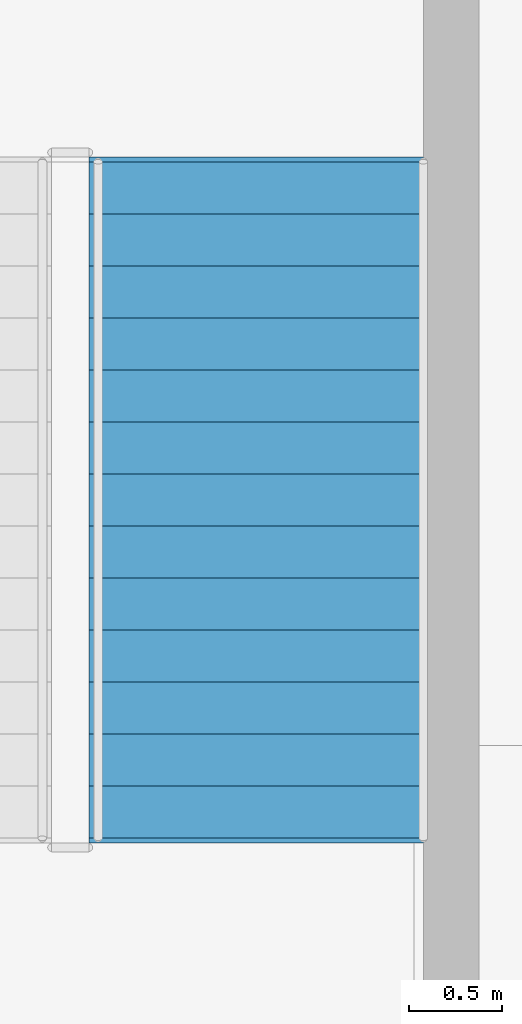
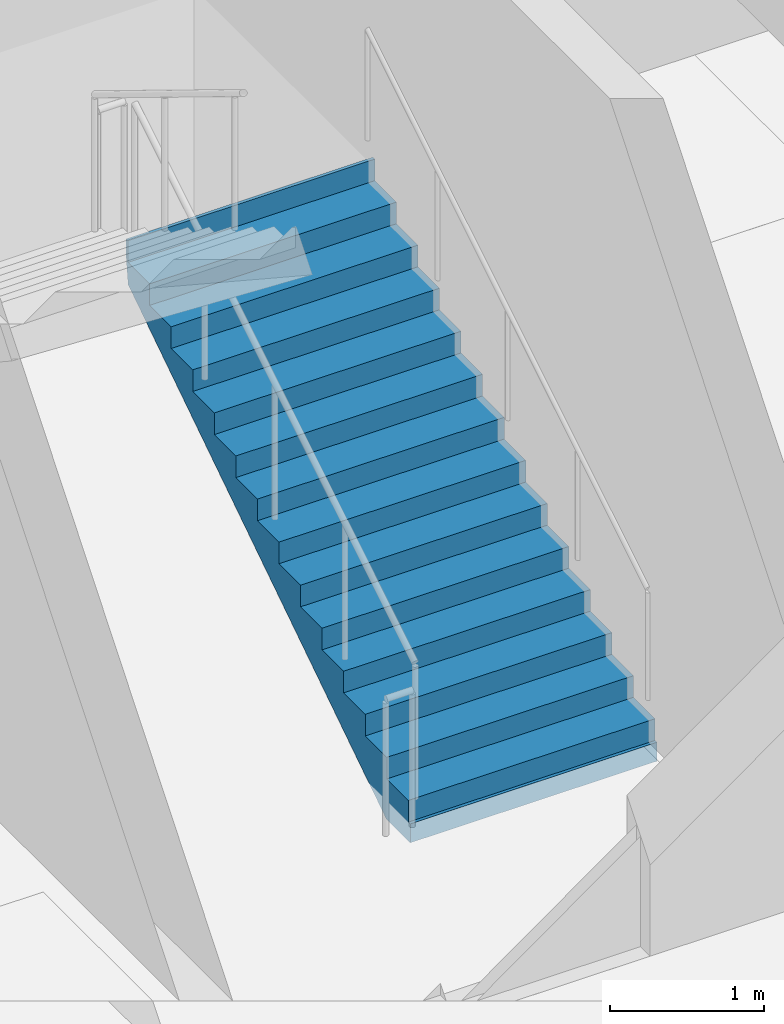
# One storey, part 33 of 51: 1 stair flight, 1 element without a shape of its own.
"""IFC4 building model written with IfcOpenShell, lengths in metres."""

from ifc_helpers import new_model, si_unit, direction, frame, origin, place, context, subcontext, project, spatial, polyline, outline, extrude, material, type_object, element, aggregate, save


model = new_model("IFC4")

# Units and contexts
model_context = context("Model", 3, precision=1e-05, world=origin(), true_north=direction((0.0, 1.0)))
body_context = subcontext(model_context, "Body", "Model", "MODEL_VIEW")
ifc_project = project(units=[si_unit("LENGTHUNIT", "METRE"), si_unit("AREAUNIT", "SQUARE_METRE"), si_unit("VOLUMEUNIT", "CUBIC_METRE"), si_unit("PLANEANGLEUNIT", "RADIAN"), si_unit("MASSUNIT", "GRAM", prefix="KILO")], contexts=[model_context])

# Site, building, storey
site_placement = place(None, origin())
site = spatial("IfcSite", under=ifc_project, at=site_placement, CompositionType="ELEMENT")
building_placement = place(site_placement, origin())
building = spatial("IfcBuilding", under=site, at=building_placement, Name="Varncliffe General Hospital", CompositionType="ELEMENT")
storey_placement = place(building_placement, frame((0.0, 0.0, -4.800048828125)))
storey = spatial("IfcBuildingStorey", under=building, at=storey_placement, Name="B1", CompositionType="ELEMENT", Elevation=-4.800048828125)

# Stair, stair flight
ifc_material = material(Name="Concrete C35/45 (CSA A23.1 35 MPa)", Category="concrete")
stair_type = type_object("IfcStairType", Name="Hospital Stair Assembly ST-T01 (1850w-4800h)", PredefinedType="TWO_STRAIGHT_RUN_STAIR", material=ifc_material)
stair_placement = place(storey_placement, origin())
stair = element("IfcStair", 1, at=stair_placement, inside=storey, type_object=stair_type, Name="B1 North-East Ward Exit Stair 4", PredefinedType="TWO_STRAIGHT_RUN_STAIR")
stair_flight_type = type_object("IfcStairFlightType", Name="Hospital Stair Flight FL-T01 (1850w-4800h)", PredefinedType="STRAIGHT", material=ifc_material)
stair_flight_placement = place(storey_placement, frame((165.074951171875, 118.0, 0.0), z_axis=(0.0, 0.0, 1.0), x_axis=(0.0, 1.0, 0.0)))
stair_flight = element("IfcStairFlight", 2, at=stair_flight_placement, type_object=stair_flight_type, Name="ST04 flight 1", NumberOfRisers=14, NumberOfTreads=13, PredefinedType="STRAIGHT", RiserHeight=0.171428571, TreadLength=0.28, context=body_context, shape_type="SweptSolid", body=[
    extrude(outline(polyline([(-0.02490234375, -0.14990234375), (-0.02490234375, 0.0), (0.0, 0.0), (0.0, 0.17138671875), (0.280029296875, 0.17138671875), (0.280029296875, 0.3427734375), (0.56005859375, 0.3427734375), (0.56005859375, 0.514404296875), (0.840087890625, 0.514404296875), (0.840087890625, 0.685791015625), (1.1201171875, 0.685791015625), (1.1201171875, 0.857177734375), (1.39990234375, 0.857177734375), (1.39990234375, 1.028564453125), (1.679931640625, 1.028564453125), (1.679931640625, 1.199951171875), (1.9599609375, 1.199951171875), (1.9599609375, 1.371337890625), (2.239990234375, 1.371337890625), (2.239990234375, 1.54296875), (2.52001953125, 1.54296875), (2.52001953125, 1.71435546875), (2.800048828125, 1.71435546875), (2.800048828125, 1.8857421875), (3.080078125, 1.8857421875), (3.080078125, 2.05712890625), (3.360107421875, 2.05712890625), (3.360107421875, 2.228515625), (3.639892578125, 2.228515625), (3.639892578125, 2.39990234375), (3.664794921875, 2.39990234375), (3.664794921875, 2.25), (3.639892578125, 2.052734375), (0.287109375, -0.14990234375), (-0.02490234375, -0.14990234375)])), frame((0.0, 0.925048828125, 0.0), z_axis=(0.0, -1.0, 0.0), x_axis=(1.0, 0.0, 0.0)), (0.0, 0.0, 1.0), 1.85009765625),
])
aggregate(stair, [stair_flight])

save(model, "model.ifc")
